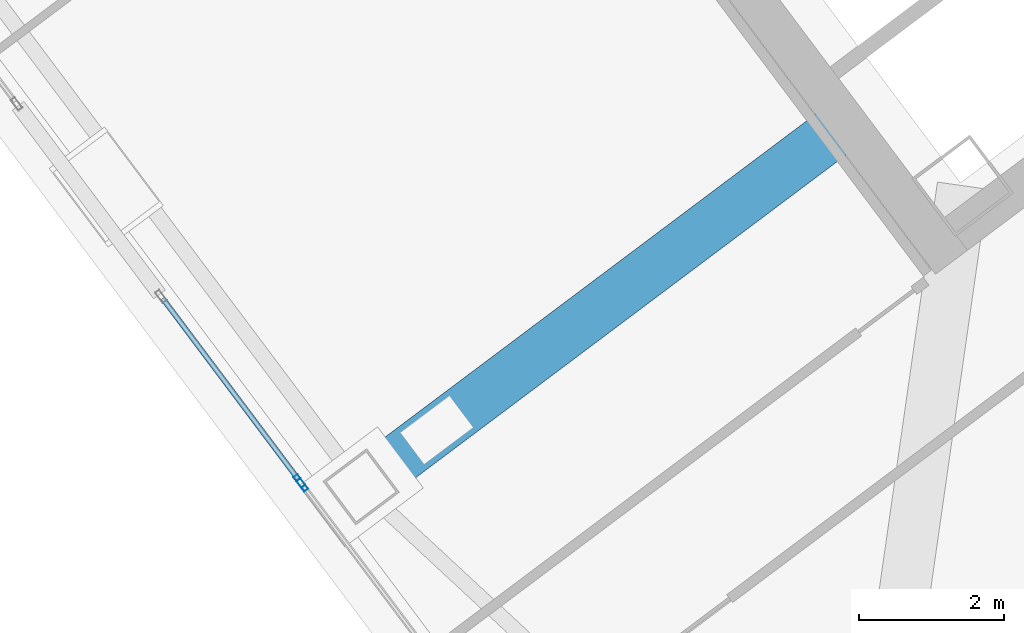
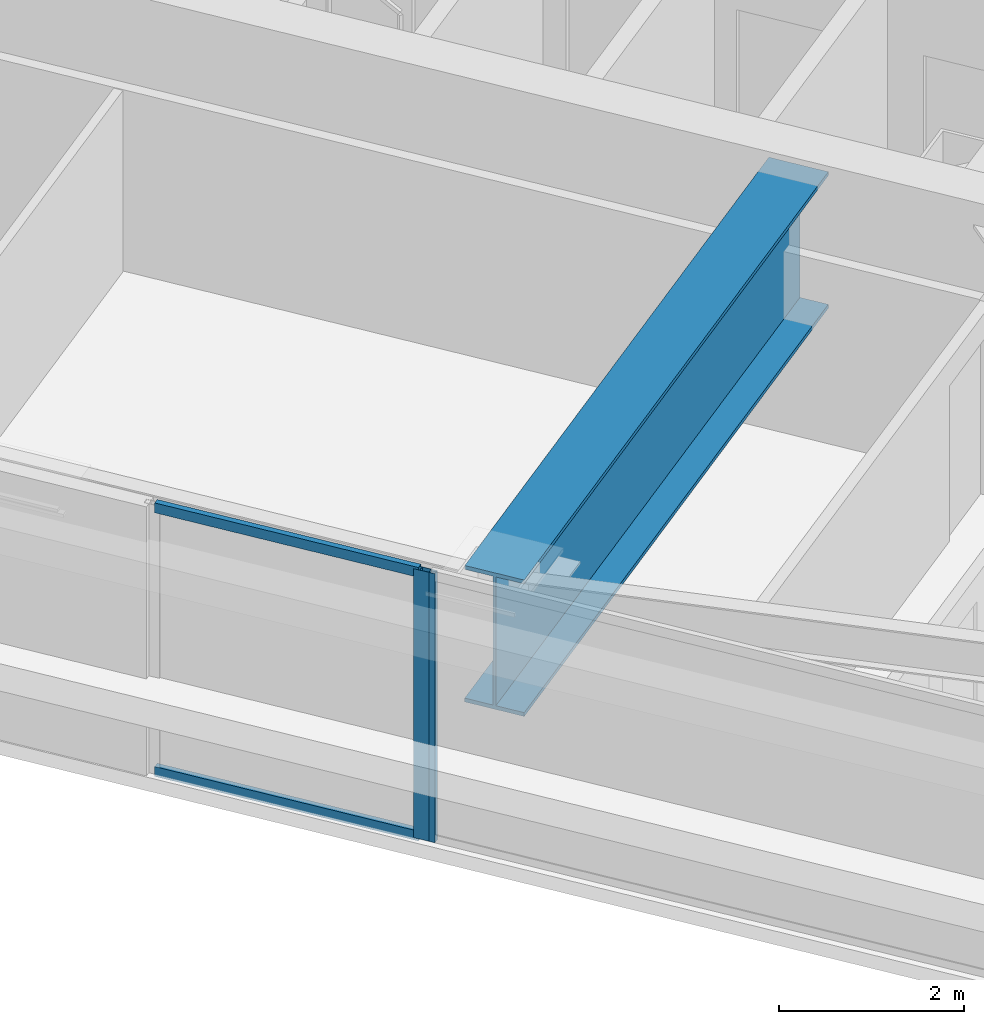
# One storey, part 19 of 42: 4 members, 1 beam, 2 elements without a shape of their own.
"""IFC4 building model written with IfcOpenShell, lengths in metres."""

from ifc_helpers import new_model, si_unit, direction, frame, origin, origin_2d, place, context, subcontext, project, spatial, hollow_rectangle, i_section, extrude, material, material_profile, profile_set, type_object, element, aggregate, save


model = new_model("IFC4")

# Units and contexts
model_context = context("Model", 3, precision=1e-05, world=origin(), true_north=direction((0.0, 1.0)))
body_context = subcontext(model_context, "Body", "Model", "MODEL_VIEW")
ifc_project = project(units=[si_unit("LENGTHUNIT", "METRE"), si_unit("AREAUNIT", "SQUARE_METRE"), si_unit("VOLUMEUNIT", "CUBIC_METRE"), si_unit("PLANEANGLEUNIT", "RADIAN"), si_unit("MASSUNIT", "GRAM", prefix="KILO")], contexts=[model_context])

# Site, building, storey
site_placement = place(None, origin())
site = spatial("IfcSite", under=ifc_project, at=site_placement, CompositionType="ELEMENT")
building_placement = place(site_placement, origin())
building = spatial("IfcBuilding", under=site, at=building_placement, Name="Tashvorn Skyway Center", CompositionType="ELEMENT")
storey_placement = place(building_placement, frame((0.0, 0.0, 196.050048828125)))
storey = spatial("IfcBuildingStorey", under=building, at=storey_placement, Name="L53", CompositionType="ELEMENT", Elevation=196.050048828125)

# Beam
ifc_material_1 = material(Name="Steel ASTM A572 Grade 50", Category="steel")
ifc_material_profile_1 = material_profile(ifc_material_1, i_section(OverallWidth=0.699951171875, OverallDepth=1.800048828125, WebThickness=0.031982421875, FlangeThickness=0.050048828125, at=origin_2d()), Name="PG1800x700")
ifc_profile_set_1 = profile_set([ifc_material_profile_1], Name="Steel ASTM A572 Grade 50")
beam_type = type_object("IfcBeamType", Name="BM-BEAM-PG1800x700", PredefinedType="BEAM", material=ifc_profile_set_1)
beam_placement = place(storey_placement, frame((104.320068359375, 17.989990234375, 2.349853515625), z_axis=(0.800003500202, 0.599995333035, 0.0), x_axis=(-0.599995333035, 0.800003500202, 0.0)))
element("IfcBeam", 1, at=beam_placement, inside=storey, type_object=beam_type, Name="Tower 2 L53 Setback Transfer Girder FC-W2", PredefinedType="BEAM", context=body_context, shape_type="SweptSolid", body=[
    extrude(i_section(OverallWidth=0.699951171875, OverallDepth=1.800048828125, WebThickness=0.031982421875, FlangeThickness=0.050048828125, at=origin_2d()), origin(), (0.0, 0.0, 1.0), 8.3701171875),
])

# Curtain wall, member
ifc_material_2 = material(Name="Thermally broken bronze-anodized aluminium 6063-T6", Category="aluminium")
curtain_wall_type = type_object("IfcCurtainWallType", Name="CW-CW-Z4", PredefinedType="NOTDEFINED", material=ifc_material_2)
curtain_wall_1_placement = place(storey_placement, origin())
curtain_wall_1 = element("IfcCurtainWall", 2, at=curtain_wall_1_placement, inside=storey, type_object=curtain_wall_type, Name="Tower 2 L53 West Unitised Curtain Wall Glazing Group 1", PredefinedType="NOTDEFINED")
ifc_material_profile_2 = material_profile(ifc_material_2, hollow_rectangle(XDim=0.070068359375, YDim=0.179931640625, WallThickness=0.00390625, at=origin_2d()), Name="ALU-MULL-70x180")
ifc_profile_set_2 = profile_set([ifc_material_profile_2], Name="Thermally broken bronze-anodized aluminium 6063-T6")
member_type_1 = type_object("IfcMemberType", Name="CWM-CW-Z4", PredefinedType="MULLION", material=ifc_profile_set_2)
member_1_placement = place(storey_placement, frame((103.512939453125, 18.01611328125, 0.0), z_axis=(0.0, 0.0, 1.0), x_axis=(-0.799999999998, -0.600000000002, 0.0)))
member_1 = element("IfcMember", 3, at=member_1_placement, type_object=member_type_1, Name="CW-Z4 mullion 2", PredefinedType="MULLION", context=body_context, shape_type="SweptSolid", body=[
    extrude(hollow_rectangle(XDim=0.070068359375, YDim=0.179931640625, WallThickness=0.00390625, at=origin_2d()), origin(), (0.0, 0.0, 1.0), 3.550048828125),
])
aggregate(curtain_wall_1, [member_1])

# Curtain wall, members
curtain_wall_2_placement = place(storey_placement, origin())
curtain_wall_2 = element("IfcCurtainWall", 4, at=curtain_wall_2_placement, inside=storey, type_object=curtain_wall_type, Name="Tower 2 L53 West Unitised Curtain Wall Glazing Group 2", PredefinedType="NOTDEFINED")
member_2_placement = place(storey_placement, frame((103.470947265625, 18.072021484375, 0.0), z_axis=(0.0, 0.0, 1.0), x_axis=(-0.799999999998, -0.600000000002, 0.0)))
member_2 = element("IfcMember", 5, at=member_2_placement, type_object=member_type_1, Name="CW-Z4 mullion 1", PredefinedType="MULLION", context=body_context, shape_type="SweptSolid", body=[
    extrude(hollow_rectangle(XDim=0.070068359375, YDim=0.179931640625, WallThickness=0.00390625, at=origin_2d()), origin(), (0.0, 0.0, 1.0), 3.550048828125),
])
ifc_material_profile_3 = material_profile(ifc_material_2, hollow_rectangle(XDim=0.070068359375, YDim=0.1298828125, WallThickness=0.00390625, at=origin_2d()), Name="ALU-TRAN-70x130")
ifc_profile_set_3 = profile_set([ifc_material_profile_3], Name="Thermally broken bronze-anodized aluminium 6063-T6")
member_type_2 = type_object("IfcMemberType", Name="CWT-CW-Z4", PredefinedType="USERDEFINED", material=ifc_profile_set_3)
member_3_placement = place(storey_placement, frame((103.449951171875, 18.10009765625, 0.034912109375), z_axis=(-0.599974797295, 0.800018901408, 0.0), x_axis=(-0.800018901408, -0.599974797295, 0.0)))
member_3 = element("IfcMember", 6, at=member_3_placement, type_object=member_type_2, Name="CW-Z4 transom 1.1", ObjectType="TRANSOM", PredefinedType="USERDEFINED", context=body_context, shape_type="SweptSolid", body=[
    extrude(hollow_rectangle(XDim=0.070068359375, YDim=0.1298828125, WallThickness=0.00390625, at=origin_2d()), origin(), (0.0, 0.0, 1.0), 3.099853515625),
])
member_4_placement = place(storey_placement, frame((103.449951171875, 18.10009765625, 3.514892578125), z_axis=(-0.599974797295, 0.800018901408, 0.0), x_axis=(-0.800018901408, -0.599974797295, 0.0)))
member_4 = element("IfcMember", 7, at=member_4_placement, type_object=member_type_2, Name="CW-Z4 transom 1.2", ObjectType="TRANSOM", PredefinedType="USERDEFINED", context=body_context, shape_type="SweptSolid", body=[
    extrude(hollow_rectangle(XDim=0.070068359375, YDim=0.1298828125, WallThickness=0.00390625, at=origin_2d()), origin(), (0.0, 0.0, 1.0), 3.099853515625),
])
aggregate(curtain_wall_2, [member_2, member_3, member_4])

save(model, "model.ifc")
